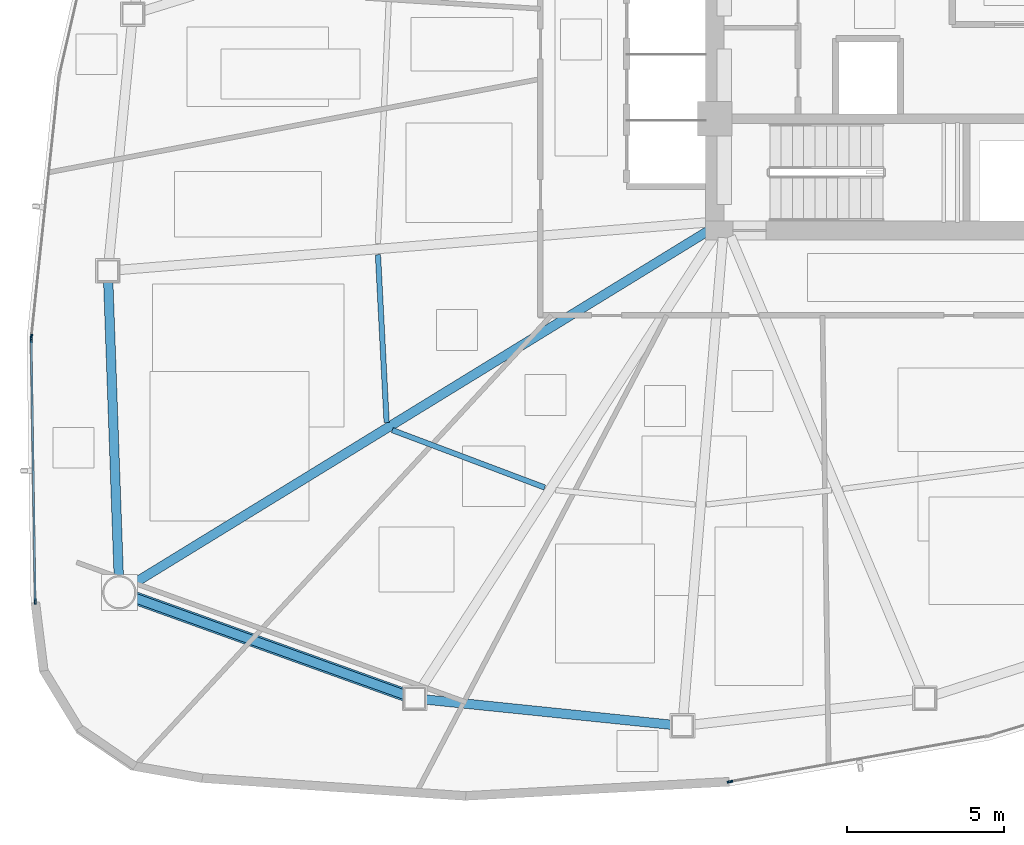
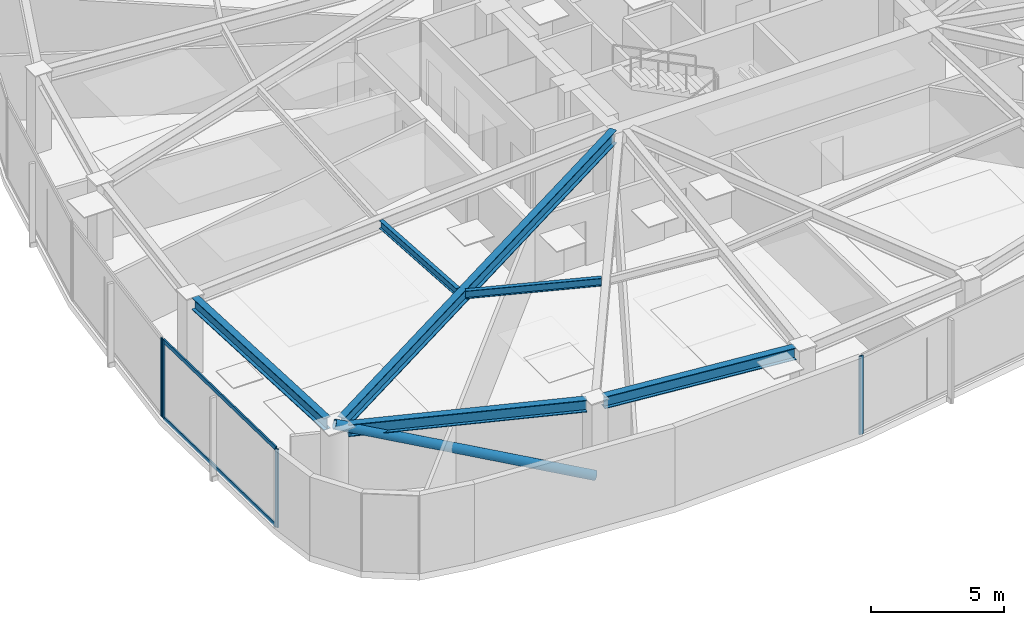
# One storey, part 2 of 17: 7 members, 6 beams, 3 elements without a shape of their own.
"""IFC4 building model written with IfcOpenShell, lengths in metres."""

from ifc_helpers import new_model, si_unit, direction, frame, origin, origin_2d, place, context, subcontext, project, spatial, hollow_rectangle, hollow_circle, i_section, extrude, source, transform, mapped, material, layer, layer_set, material_profile, profile_set, type_object, type_shapes, element, aggregate, save


model = new_model("IFC4")

# Units and contexts
model_context = context("Model", 3, precision=1e-05, world=origin(), true_north=direction((0.0, 1.0)))
body_context = subcontext(model_context, "Body", "Model", "MODEL_VIEW")
ifc_project = project(units=[si_unit("LENGTHUNIT", "METRE"), si_unit("AREAUNIT", "SQUARE_METRE"), si_unit("VOLUMEUNIT", "CUBIC_METRE"), si_unit("PLANEANGLEUNIT", "RADIAN"), si_unit("MASSUNIT", "GRAM", prefix="KILO")], contexts=[model_context])

# Site, building, storey
site_placement = place(None, origin())
site = spatial("IfcSite", under=ifc_project, at=site_placement, CompositionType="ELEMENT")
building_placement = place(site_placement, origin())
building = spatial("IfcBuilding", under=site, at=building_placement, Name="Tavelor Broadcast Tower", CompositionType="ELEMENT")
storey_placement = place(building_placement, frame((0.0, 0.0, 82.199951171875)))
storey = spatial("IfcBuildingStorey", under=building, at=storey_placement, Name="L19", CompositionType="ELEMENT", Elevation=82.199951171875)

# Beams
ifc_material_1 = material(Name="Steel S355", Category="steel")
ifc_material_profile_1 = material_profile(ifc_material_1, i_section(OverallWidth=0.169921875, OverallDepth=0.360107421875, WebThickness=0.008056640625, FlangeThickness=0.0126953125, at=origin_2d()), Name="IPE 360")
ifc_profile_set_1 = profile_set([ifc_material_profile_1], Name="Steel S355")
beam_type_1 = type_object("IfcBeamType", Name="Composite Floor Joist T2 IPE 360", PredefinedType="JOIST", material=ifc_profile_set_1)
beam_1_placement = place(storey_placement, frame((32.386474609375, 37.72900390625, 3.420166015625), z_axis=(0.051611065527, -0.998667260861, 0.0), x_axis=(0.998667260861, 0.051611065527, 0.0)))
element("IfcBeam", 1, at=beam_1_placement, inside=storey, type_object=beam_type_1, Name="L19 Secondary Composite Floor Joist 06", PredefinedType="JOIST", context=body_context, shape_type="SweptSolid", body=[
    extrude(i_section(OverallWidth=0.169921875, OverallDepth=0.360107421875, WebThickness=0.008056640625, FlangeThickness=0.0126953125, at=origin_2d()), origin(), (0.0, 0.0, 1.0), 5.340576171875),
])
beam_2_placement = place(storey_placement, frame((32.8408203125, 32.15087890625, 3.420166015625), z_axis=(0.935788002818, -0.352563205371, 0.0), x_axis=(0.352563205371, 0.935788002818, 0.0)))
element("IfcBeam", 2, at=beam_2_placement, inside=storey, type_object=beam_type_1, Name="L19 Secondary Composite Floor Joist 07", PredefinedType="JOIST", context=body_context, shape_type="SweptSolid", body=[
    extrude(i_section(OverallWidth=0.169921875, OverallDepth=0.360107421875, WebThickness=0.008056640625, FlangeThickness=0.0126953125, at=origin_2d()), origin(), (0.0, 0.0, 1.0), 5.18310546875),
])
ifc_material_profile_2 = material_profile(ifc_material_1, i_section(OverallWidth=0.300048828125, OverallDepth=0.550048828125, WebThickness=0.014892578125, FlangeThickness=0.029052734375, at=origin_2d()), Name="HEB 550")
ifc_profile_set_2 = profile_set([ifc_material_profile_2], Name="Steel S355")
beam_type_2 = type_object("IfcBeamType", Name="Perimeter Spandrel Beam T2 HEB 550", PredefinedType="SPANDREL", material=ifc_profile_set_2)
beam_3_placement = place(storey_placement, frame((23.806640625, 36.880615234375, 3.324951171875), z_axis=(0.035613586899, -0.999365635005, 0.0), x_axis=(0.999365635005, 0.035613586899, 0.0)))
element("IfcBeam", 3, at=beam_3_placement, inside=storey, type_object=beam_type_2, Name="L19 Framed-Tube Ring Spandrel 06", PredefinedType="SPANDREL", context=body_context, shape_type="SweptSolid", body=[
    extrude(i_section(OverallWidth=0.300048828125, OverallDepth=0.550048828125, WebThickness=0.014892578125, FlangeThickness=0.029052734375, at=origin_2d()), origin(), (0.0, 0.0, 1.0), 9.384765625),
])
beam_4_placement = place(storey_placement, frame((24.64111328125, 26.81640625, 3.324951171875), z_axis=(0.941105692238, -0.338112519789, 0.0), x_axis=(0.338112519789, 0.941105692238, 0.0)))
element("IfcBeam", 4, at=beam_4_placement, inside=storey, type_object=beam_type_2, Name="L19 Framed-Tube Ring Spandrel 07", PredefinedType="SPANDREL", context=body_context, shape_type="SweptSolid", body=[
    extrude(i_section(OverallWidth=0.300048828125, OverallDepth=0.550048828125, WebThickness=0.014892578125, FlangeThickness=0.029052734375, at=origin_2d()), origin(), (0.0, 0.0, 1.0), 9.13134765625),
])
beam_5_placement = place(storey_placement, frame((33.885009765625, 23.581298828125, 3.324951171875), z_axis=(0.994770407806, -0.102136358626, 0.0), x_axis=(0.102136358626, 0.994770407806, 0.0)))
element("IfcBeam", 5, at=beam_5_placement, inside=storey, type_object=beam_type_2, Name="L19 Framed-Tube Ring Spandrel 08", PredefinedType="SPANDREL", context=body_context, shape_type="SweptSolid", body=[
    extrude(i_section(OverallWidth=0.300048828125, OverallDepth=0.550048828125, WebThickness=0.014892578125, FlangeThickness=0.029052734375, at=origin_2d()), origin(), (0.0, 0.0, 1.0), 7.895263671875),
])

# Member
ifc_material_profile_3 = material_profile(ifc_material_1, hollow_circle(Radius=0.203125, WallThickness=0.02001953125, at=origin_2d()), Name="CHS 406.4x20")
ifc_profile_set_3 = profile_set([ifc_material_profile_3], Name="Steel S355")
member_type_1 = type_object("IfcMemberType", Name="Perimeter Tube Brace T2 CHS 406.4x20", PredefinedType="BRACE", material=ifc_profile_set_3)
member_1_placement = place(storey_placement, frame((33.55078125, 23.615478515625, 0.0), z_axis=(-0.885257630536, 0.318060354363, 0.339347224183), x_axis=(-0.338124247145, -0.941101478849, 0.0)))
element("IfcMember", 6, at=member_1_placement, inside=storey, type_object=member_type_1, Name="L19 Corner Tube Diagonal Brace 2", PredefinedType="BRACE", context=body_context, shape_type="SweptSolid", body=[
    extrude(hollow_circle(Radius=0.203125, WallThickness=0.02001953125, at=origin_2d()), origin(), (0.0, 0.0, 1.0), 10.60888671875),
])

# Beam
ifc_material_profile_4 = material_profile(ifc_material_1, i_section(OverallWidth=0.300048828125, OverallDepth=0.60009765625, WebThickness=0.015380859375, FlangeThickness=0.030029296875, at=origin_2d()), Name="HEB 600")
ifc_profile_set_4 = profile_set([ifc_material_profile_4], Name="Steel S355")
beam_type_3 = type_object("IfcBeamType", Name="Radial Floor Girder T2 HEB 600", PredefinedType="BEAM", material=ifc_profile_set_4)
beam_6_placement = place(storey_placement, frame((42.949951171875, 38.523681640625, 3.300048828125), z_axis=(-0.852254843795, -0.52312683092, 0.0), x_axis=(0.52312683092, -0.852254843795, 0.0)))
element("IfcBeam", 7, at=beam_6_placement, inside=storey, type_object=beam_type_3, Name="L19 Radial Primary Floor Girder 07", PredefinedType="BEAM", context=body_context, shape_type="SweptSolid", body=[
    extrude(i_section(OverallWidth=0.300048828125, OverallDepth=0.60009765625, WebThickness=0.015380859375, FlangeThickness=0.030029296875, at=origin_2d()), origin(), (0.0, 0.0, 1.0), 21.5361328125),
])

# Curtain wall, member
ifc_material_2 = material(Name="Architectural Anodized Aluminium", Category="aluminium")
ifc_layer = layer(ifc_material_2, 0.179931640625)
ifc_layer_set = layer_set([ifc_layer], Name="Architectural Anodized Aluminium")
curtain_wall_type = type_object("IfcCurtainWallType", Name="Tower Low-Zone Unitised Curtain Wall CW02", PredefinedType="NOTDEFINED", material=ifc_layer_set)
curtain_wall_1_placement = place(storey_placement, origin())
curtain_wall_1 = element("IfcCurtainWall", 8, at=curtain_wall_1_placement, inside=storey, type_object=curtain_wall_type, Name="L19 Curtain Wall CW02 Run 183", PredefinedType="NOTDEFINED")
ifc_material_profile_5 = material_profile(ifc_material_2, hollow_rectangle(XDim=0.06494140625, YDim=0.179931640625, WallThickness=0.02197265625, at=origin_2d()), Name="RHS 65x180x22")
ifc_profile_set_5 = profile_set([ifc_material_profile_5], Name="Architectural Anodized Aluminium")
member_type_2 = type_object("IfcMemberType", Name="CW02 Extruded Aluminium Mullion 65x180", PredefinedType="MULLION", material=ifc_profile_set_5)
shared_shape_1 = source(origin(), body_context, "Body", "SweptSolid", [
    extrude(hollow_rectangle(XDim=0.06494140625, YDim=0.179931640625, WallThickness=0.02197265625, at=origin_2d()), origin(), (0.0, 0.0, 1.0), 3.60009765625),
])
type_shapes(member_type_2, [shared_shape_1])
member_2_placement = place(storey_placement, frame((21.361328125, 35.109375, 0.0), z_axis=(0.0, 0.0, 1.0), x_axis=(0.994385034184, -0.10582251079, 0.0)))
member_2 = element("IfcMember", 9, at=member_2_placement, type_object=member_type_2, Name="CW02 mullion 2", PredefinedType="MULLION", context=body_context, shape_type="MappedRepresentation", body=[
    mapped(shared_shape_1, transform((0.0, 0.0, 0.0), scale=1.0)),
])
aggregate(curtain_wall_1, [member_2])

# Curtain wall, members
curtain_wall_2_placement = place(storey_placement, origin())
curtain_wall_2 = element("IfcCurtainWall", 10, at=curtain_wall_2_placement, inside=storey, type_object=curtain_wall_type, Name="L19 Curtain Wall CW02 Run 184", PredefinedType="NOTDEFINED")
member_3_placement = place(storey_placement, frame((21.35693359375, 35.014404296875, 0.0), z_axis=(0.0, 0.0, 1.0), x_axis=(0.999882896786, 0.015303356352, 0.0)))
member_3 = element("IfcMember", 11, at=member_3_placement, type_object=member_type_2, Name="CW02 mullion 1", PredefinedType="MULLION", context=body_context, shape_type="MappedRepresentation", body=[
    mapped(shared_shape_1, transform((0.0, 0.0, 0.0), scale=1.0)),
])
member_4_placement = place(storey_placement, frame((21.484130859375, 26.69677734375, 0.0), z_axis=(0.0, 0.0, 1.0), x_axis=(0.999882896786, 0.015303356352, 0.0)))
member_4 = element("IfcMember", 12, at=member_4_placement, type_object=member_type_2, Name="CW02 mullion 2", PredefinedType="MULLION", context=body_context, shape_type="MappedRepresentation", body=[
    mapped(shared_shape_1, transform((0.0, 0.0, 0.0), scale=1.0)),
])

# Curtain wall, member
curtain_wall_3_placement = place(storey_placement, origin())
curtain_wall_3 = element("IfcCurtainWall", 13, at=curtain_wall_3_placement, inside=storey, type_object=curtain_wall_type, Name="L19 Curtain Wall CW02 Run 185", PredefinedType="NOTDEFINED")
member_5_placement = place(storey_placement, frame((43.582763671875, 20.966552734375, 0.0), z_axis=(0.0, 0.0, 1.0), x_axis=(-0.174082715166, 0.984731033471, 0.0)))
member_5 = element("IfcMember", 14, at=member_5_placement, type_object=member_type_2, Name="CW02 mullion 1", PredefinedType="MULLION", context=body_context, shape_type="MappedRepresentation", body=[
    mapped(shared_shape_1, transform((0.0, 0.0, 0.0), scale=1.0)),
])
aggregate(curtain_wall_3, [member_5])

# Member
ifc_material_profile_6 = material_profile(ifc_material_2, hollow_rectangle(XDim=0.06494140625, YDim=0.179931640625, WallThickness=0.02197265625, at=origin_2d()), Name="RHS 65x180x22")
ifc_profile_set_6 = profile_set([ifc_material_profile_6], Name="Architectural Anodized Aluminium")
member_type_3 = type_object("IfcMemberType", Name="CW02 Extruded Aluminium Transom 65x180", PredefinedType="USERDEFINED", material=ifc_profile_set_6)
shared_shape_2 = source(origin(), body_context, "Body", "SweptSolid", [
    extrude(hollow_rectangle(XDim=0.06494140625, YDim=0.179931640625, WallThickness=0.02197265625, at=origin_2d()), origin(), (0.0, 0.0, 1.0), 8.253662109375),
])
type_shapes(member_type_3, [shared_shape_2])
member_6_placement = place(storey_placement, frame((21.357421875, 34.98193359375, 0.032470703125), z_axis=(0.015292711944, -0.999883059643, 0.0), x_axis=(0.999883059643, 0.015292711944, 0.0)))
member_6 = element("IfcMember", 15, at=member_6_placement, type_object=member_type_3, Name="CW02 transom 1.1", ObjectType="TRANSOM", PredefinedType="USERDEFINED", context=body_context, shape_type="MappedRepresentation", body=[
    mapped(shared_shape_2, transform((0.0, 0.0, 0.0), scale=1.0)),
])

member_7_placement = place(storey_placement, frame((21.357421875, 34.98193359375, 3.567626953125), z_axis=(0.015292711944, -0.999883059643, 0.0), x_axis=(0.999883059643, 0.015292711944, 0.0)))
member_7 = element("IfcMember", 16, at=member_7_placement, type_object=member_type_3, Name="CW02 transom 1.2", ObjectType="TRANSOM", PredefinedType="USERDEFINED", context=body_context, shape_type="MappedRepresentation", body=[
    mapped(shared_shape_2, transform((0.0, 0.0, 0.0), scale=1.0)),
])

aggregate(curtain_wall_2, [member_3, member_4, member_6, member_7])

save(model, "model.ifc")
